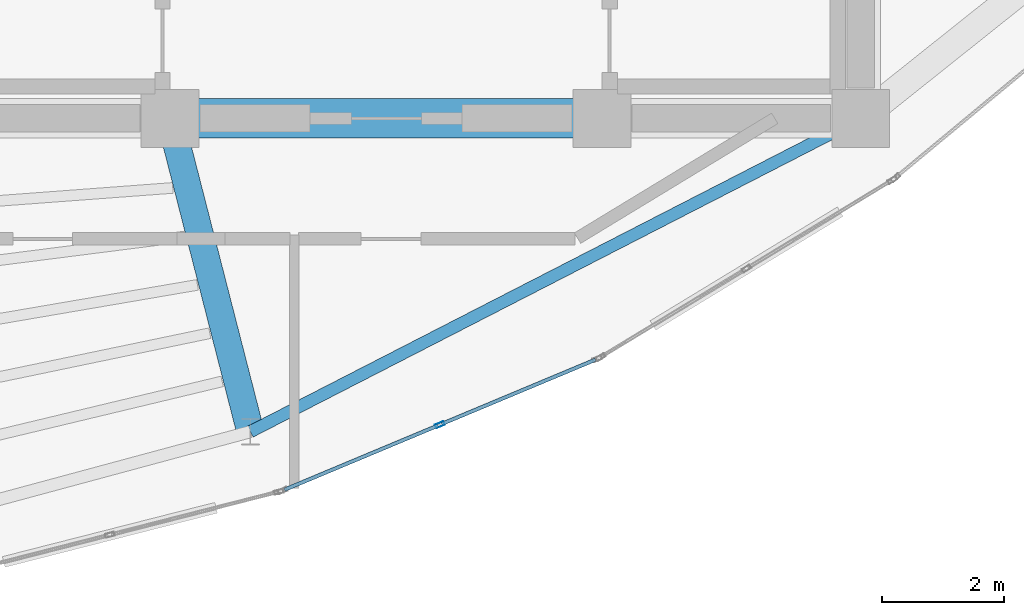
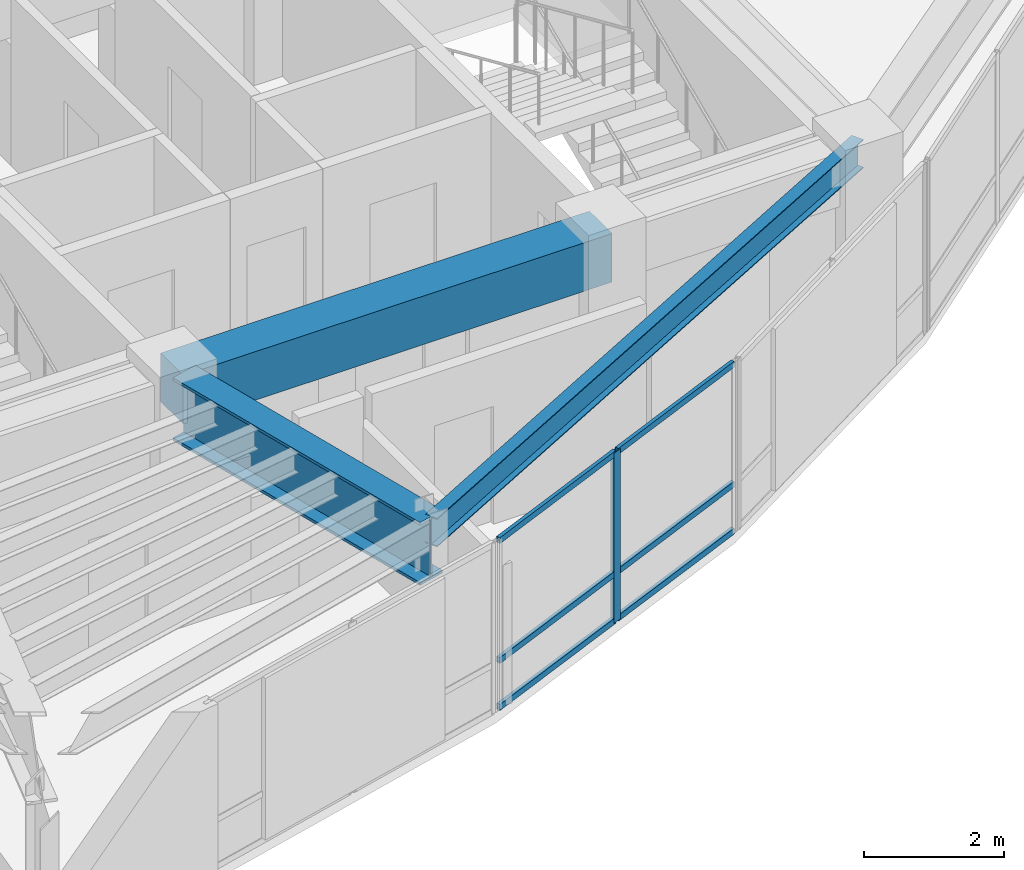
# One storey, part 3 of 14: 7 members, 3 beams, 1 element without a shape of its own.
"""IFC4 building model written with IfcOpenShell, lengths in metres."""

from ifc_helpers import new_model, si_unit, direction, frame, origin, origin_2d, place, context, subcontext, project, spatial, rectangle, hollow_rectangle, i_section, extrude, material, layer, layer_set, material_profile, profile_set, type_object, element, aggregate, save


model = new_model("IFC4")

# Units and contexts
model_context = context("Model", 3, precision=1e-05, world=origin(), true_north=direction((0.0, 1.0)))
body_context = subcontext(model_context, "Body", "Model", "MODEL_VIEW")
ifc_project = project(units=[si_unit("LENGTHUNIT", "METRE"), si_unit("AREAUNIT", "SQUARE_METRE"), si_unit("VOLUMEUNIT", "CUBIC_METRE"), si_unit("PLANEANGLEUNIT", "RADIAN"), si_unit("MASSUNIT", "GRAM", prefix="KILO")], contexts=[model_context])

# Site, building, storey
site_placement = place(None, origin())
site = spatial("IfcSite", under=ifc_project, at=site_placement, CompositionType="ELEMENT")
building_placement = place(site_placement, origin())
building = spatial("IfcBuilding", under=site, at=building_placement, Name="Menara Vayukalpa", CompositionType="ELEMENT")
storey_placement = place(building_placement, frame((0.0, 0.0, 312.02001953125)))
storey = spatial("IfcBuildingStorey", under=building, at=storey_placement, Name="L80", CompositionType="ELEMENT", Elevation=312.02001953125)

# Beams
ifc_material_1 = material(Name="Concrete C60/75", Category="concrete")
ifc_material_profile_1 = material_profile(ifc_material_1, rectangle(XDim=0.64990234375, YDim=0.85009765625, at=origin_2d()), Name="RC 650x850")
ifc_profile_set_1 = profile_set([ifc_material_profile_1], Name="Concrete C60/75")
beam_type_1 = type_object("IfcBeamType", Name="BM-CB1", PredefinedType="BEAM", material=ifc_profile_set_1)
beam_1_placement = place(storey_placement, frame((22.050048828125, 17.199951171875, 2.554931640625), z_axis=(1.0, 0.0, 0.0), x_axis=(0.0, 1.0, 0.0)))
element("IfcBeam", 1, at=beam_1_placement, inside=storey, type_object=beam_type_1, Name="L80 Core Tie Beam CBR2", PredefinedType="BEAM", context=body_context, shape_type="SweptSolid", body=[
    extrude(rectangle(XDim=0.64990234375, YDim=0.85009765625, at=origin_2d()), origin(), (0.0, 0.0, 1.0), 7.099853515625),
])
ifc_material_2 = material(Name="Steel S460", Category="steel")
ifc_material_profile_2 = material_profile(ifc_material_2, i_section(OverallWidth=0.449951171875, OverallDepth=1.10009765625, WebThickness=0.02490234375, FlangeThickness=0.050048828125, at=origin_2d()), Name="WG 1100x450x25x50")
ifc_profile_set_2 = profile_set([ifc_material_profile_2], Name="Steel S460")
beam_type_2 = type_object("IfcBeamType", Name="BM-MTG1", PredefinedType="BEAM", material=ifc_profile_set_2)
beam_2_placement = place(storey_placement, frame((22.112060546875, 16.957763671875, 2.429931640625), z_axis=(0.248427525231, -0.968650486351, 0.0), x_axis=(0.968650486351, 0.248427525231, 0.0)))
element("IfcBeam", 2, at=beam_2_placement, inside=storey, type_object=beam_type_2, Name="L80 Primary Radial Girder RG08", PredefinedType="BEAM", context=body_context, shape_type="SweptSolid", body=[
    extrude(i_section(OverallWidth=0.449951171875, OverallDepth=1.10009765625, WebThickness=0.02490234375, FlangeThickness=0.050048828125, at=origin_2d()), origin(), (0.0, 0.0, 1.0), 5.066162109375),
])
ifc_material_3 = material(Name="Steel S355", Category="steel")
ifc_material_profile_3 = material_profile(ifc_material_3, i_section(OverallWidth=0.199951171875, OverallDepth=0.5, WebThickness=0.010009765625, FlangeThickness=0.01611328125, at=origin_2d()), Name="WF 500x200x10x16")
ifc_profile_set_3 = profile_set([ifc_material_profile_3], Name="Steel S355")
beam_type_3 = type_object("IfcBeamType", Name="BM-SP3", PredefinedType="SPANDREL", material=ifc_profile_set_3)
beam_3_placement = place(storey_placement, frame((23.37060546875, 12.050537109375, 2.72998046875), z_axis=(0.889594604964, 0.456750959297, 0.0), x_axis=(-0.456750959297, 0.889594604964, 0.0)))
element("IfcBeam", 3, at=beam_3_placement, inside=storey, type_object=beam_type_3, Name="L80 Perimeter Spandrel Beam SP08", PredefinedType="SPANDREL", context=body_context, shape_type="SweptSolid", body=[
    extrude(i_section(OverallWidth=0.199951171875, OverallDepth=0.5, WebThickness=0.010009765625, FlangeThickness=0.01611328125, at=origin_2d()), origin(), (0.0, 0.0, 1.0), 11.27392578125),
])

# Curtain wall, members
ifc_material_4 = material(Name="Anodised Terracotta Aluminium Alloy 6063-T6", Category="masonry")
ifc_layer = layer(ifc_material_4, 0.14990234375)
ifc_layer_set = layer_set([ifc_layer], Name="Anodised Terracotta Aluminium Alloy 6063-T6")
curtain_wall_type = type_object("IfcCurtainWallType", Name="CW-CW7", PredefinedType="USERDEFINED", material=ifc_layer_set)
curtain_wall_placement = place(storey_placement, origin())
curtain_wall = element("IfcCurtainWall", 4, at=curtain_wall_placement, inside=storey, type_object=curtain_wall_type, Name="L80 Crown Drum Screened Curtain Wall CW7 16", ObjectType="UNITISED", PredefinedType="USERDEFINED")
ifc_material_5 = material(Name="Anodised Terracotta Aluminium Alloy 6063-T6", Category="masonry")
ifc_material_profile_4 = material_profile(ifc_material_5, hollow_rectangle(XDim=0.06494140625, YDim=0.14990234375, WallThickness=0.00341796875, at=origin_2d()), Name="ALU 65x150x3.5")
ifc_profile_set_4 = profile_set([ifc_material_profile_4], Name="Anodised Terracotta Aluminium Alloy 6063-T6")
member_type_1 = type_object("IfcMemberType", Name="CWM-CW7", PredefinedType="MULLION", material=ifc_profile_set_4)
member_1_placement = place(storey_placement, frame((26.48583984375, 12.16455078125, 0.0), z_axis=(0.0, 0.0, 1.0), x_axis=(-0.385898361946, 0.922541302191, 0.0)))
member_1 = element("IfcMember", 5, at=member_1_placement, type_object=member_type_1, Name="CW7 mullion 2", PredefinedType="MULLION", context=body_context, shape_type="SweptSolid", body=[
    extrude(hollow_rectangle(XDim=0.06494140625, YDim=0.14990234375, WallThickness=0.00341796875, at=origin_2d()), origin(), (0.0, 0.0, 1.0), 2.97998046875),
])
ifc_material_6 = material(Name="Anodised Terracotta Aluminium Alloy 6063-T6", Category="masonry")
ifc_material_profile_5 = material_profile(ifc_material_6, hollow_rectangle(XDim=0.06005859375, YDim=0.10498046875, WallThickness=0.0029296875, at=origin_2d()), Name="ALU 60x105x3")
ifc_profile_set_5 = profile_set([ifc_material_profile_5], Name="Anodised Terracotta Aluminium Alloy 6063-T6")
member_type_2 = type_object("IfcMemberType", Name="CWT-CW7", PredefinedType="USERDEFINED", material=ifc_profile_set_5)
member_2_placement = place(storey_placement, frame((23.929931640625, 11.095458984375, 0.030029296875), z_axis=(0.922532551431, 0.385919281132, 0.0), x_axis=(-0.385919281132, 0.922532551431, 0.0)))
member_2 = element("IfcMember", 6, at=member_2_placement, type_object=member_type_2, Name="CW7 transom 1.1", ObjectType="TRANSOM", PredefinedType="USERDEFINED", context=body_context, shape_type="SweptSolid", body=[
    extrude(hollow_rectangle(XDim=0.06005859375, YDim=0.10498046875, WallThickness=0.0029296875, at=origin_2d()), origin(), (0.0, 0.0, 1.0), 2.738037109375),
])
member_3_placement = place(storey_placement, frame((23.929931640625, 11.095458984375, 0.85009765625), z_axis=(0.922532551431, 0.385919281132, 0.0), x_axis=(-0.385919281132, 0.922532551431, 0.0)))
member_3 = element("IfcMember", 7, at=member_3_placement, type_object=member_type_2, Name="CW7 transom 1.2", ObjectType="TRANSOM", PredefinedType="USERDEFINED", context=body_context, shape_type="SweptSolid", body=[
    extrude(hollow_rectangle(XDim=0.06005859375, YDim=0.10498046875, WallThickness=0.0029296875, at=origin_2d()), origin(), (0.0, 0.0, 1.0), 2.738037109375),
])
member_4_placement = place(storey_placement, frame((23.929931640625, 11.095458984375, 2.949951171875), z_axis=(0.922532551431, 0.385919281132, 0.0), x_axis=(-0.385919281132, 0.922532551431, 0.0)))
member_4 = element("IfcMember", 8, at=member_4_placement, type_object=member_type_2, Name="CW7 transom 1.3", ObjectType="TRANSOM", PredefinedType="USERDEFINED", context=body_context, shape_type="SweptSolid", body=[
    extrude(hollow_rectangle(XDim=0.06005859375, YDim=0.10498046875, WallThickness=0.0029296875, at=origin_2d()), origin(), (0.0, 0.0, 1.0), 2.738037109375),
])
member_5_placement = place(storey_placement, frame((26.515869140625, 12.17724609375, 0.030029296875), z_axis=(0.922532551431, 0.385919281132, 0.0), x_axis=(-0.385919281132, 0.922532551431, 0.0)))
member_5 = element("IfcMember", 9, at=member_5_placement, type_object=member_type_2, Name="CW7 transom 2.1", ObjectType="TRANSOM", PredefinedType="USERDEFINED", context=body_context, shape_type="SweptSolid", body=[
    extrude(hollow_rectangle(XDim=0.06005859375, YDim=0.10498046875, WallThickness=0.0029296875, at=origin_2d()), origin(), (0.0, 0.0, 1.0), 2.738037109375),
])
member_6_placement = place(storey_placement, frame((26.515869140625, 12.17724609375, 0.85009765625), z_axis=(0.922532551431, 0.385919281132, 0.0), x_axis=(-0.385919281132, 0.922532551431, 0.0)))
member_6 = element("IfcMember", 10, at=member_6_placement, type_object=member_type_2, Name="CW7 transom 2.2", ObjectType="TRANSOM", PredefinedType="USERDEFINED", context=body_context, shape_type="SweptSolid", body=[
    extrude(hollow_rectangle(XDim=0.06005859375, YDim=0.10498046875, WallThickness=0.0029296875, at=origin_2d()), origin(), (0.0, 0.0, 1.0), 2.738037109375),
])
member_7_placement = place(storey_placement, frame((26.515869140625, 12.17724609375, 2.949951171875), z_axis=(0.922532551431, 0.385919281132, 0.0), x_axis=(-0.385919281132, 0.922532551431, 0.0)))
member_7 = element("IfcMember", 11, at=member_7_placement, type_object=member_type_2, Name="CW7 transom 2.3", ObjectType="TRANSOM", PredefinedType="USERDEFINED", context=body_context, shape_type="SweptSolid", body=[
    extrude(hollow_rectangle(XDim=0.06005859375, YDim=0.10498046875, WallThickness=0.0029296875, at=origin_2d()), origin(), (0.0, 0.0, 1.0), 2.738037109375),
])
aggregate(curtain_wall, [member_1, member_2, member_3, member_4, member_5, member_6, member_7])

save(model, "model.ifc")
